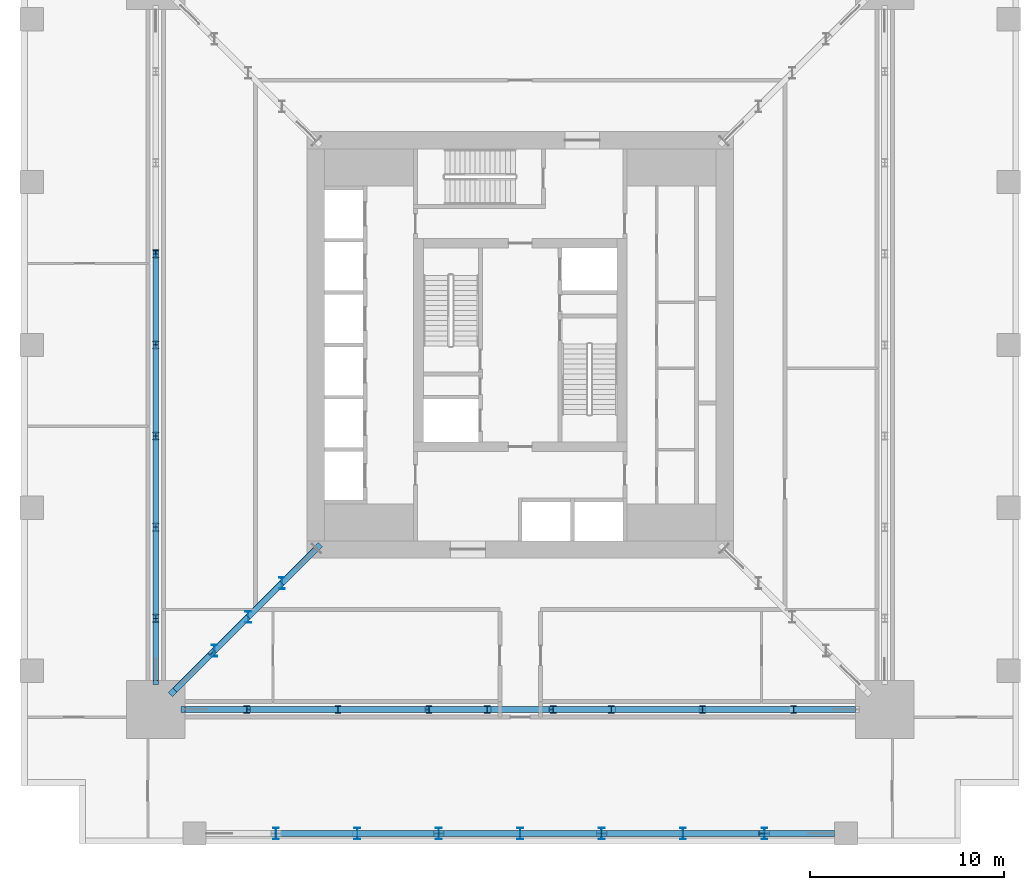
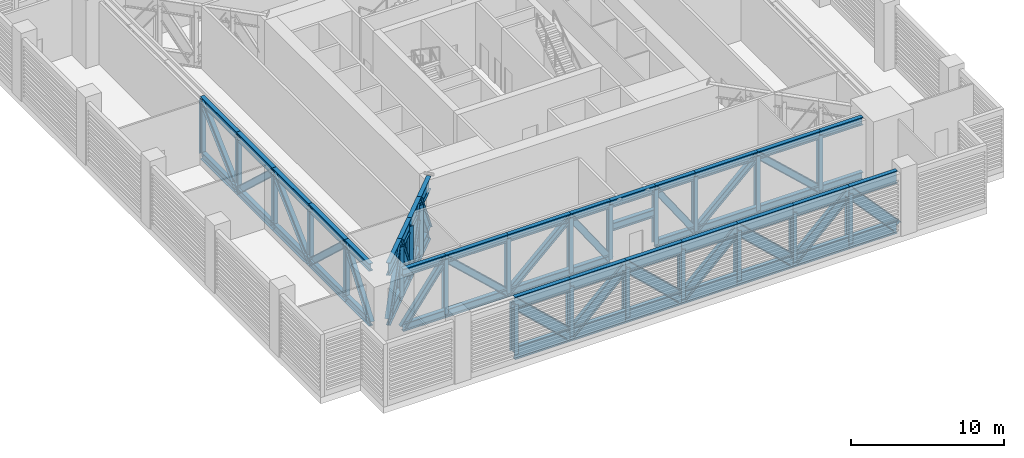
# One storey, part 2 of 17: 96 members.
"""IFC4 building model written with IfcOpenShell, lengths in metres."""

from ifc_helpers import new_model, si_unit, direction, frame, origin, origin_2d, place, context, subcontext, project, spatial, i_section, extrude, material, material_profile, profile_set, type_object, element, save


model = new_model("IFC4")

# Units and contexts
model_context = context("Model", 3, precision=1e-05, world=origin(), true_north=direction((0.0, 1.0)))
body_context = subcontext(model_context, "Body", "Model", "MODEL_VIEW")
ifc_project = project(units=[si_unit("LENGTHUNIT", "METRE"), si_unit("AREAUNIT", "SQUARE_METRE"), si_unit("VOLUMEUNIT", "CUBIC_METRE"), si_unit("PLANEANGLEUNIT", "RADIAN"), si_unit("MASSUNIT", "GRAM", prefix="KILO")], contexts=[model_context])

# Site, building, storey
site_placement = place(None, origin())
site = spatial("IfcSite", under=ifc_project, at=site_placement, CompositionType="ELEMENT")
building_placement = place(site_placement, origin())
building = spatial("IfcBuilding", under=site, at=building_placement, Name="Khepri Terraces", CompositionType="ELEMENT")
storey_placement = place(building_placement, frame((0.0, 0.0, 73.800048828125)))
storey = spatial("IfcBuildingStorey", under=building, at=storey_placement, Name="L17", CompositionType="ELEMENT", Elevation=73.800048828125)

# Members
ifc_material = material(Name="Steel S355", Category="steel")
ifc_material_profile_1 = material_profile(ifc_material, i_section(OverallWidth=0.304931640625, OverallDepth=0.6201171875, WebThickness=0.02099609375, FlangeThickness=0.0400390625, FilletRadius=0.027099609375, at=origin_2d()), Name="Steel S355", Category="steel")
ifc_profile_set_1 = profile_set([ifc_material_profile_1], Name="Steel S355")
member_type_1 = type_object("IfcMemberType", Name="Belt truss chord HEM 600", PredefinedType="CHORD", material=ifc_profile_set_1)
for number, where, z_axis, x_axis, name in (
    (1, (-17.300048828125, -18.800048828125, 0.31005859375), (1.0, 0.0, 0.0), (0.0, 1.0, 0.0), "Belt truss chord BT-17-S bottom 1"),
    (2, (-17.300048828125, -18.800048828125, 4.669921875), (1.0, 0.0, 0.0), (0.0, 1.0, 0.0), "Belt truss chord BT-17-S top 1"),
):
    element("IfcMember", number, at=place(storey_placement, frame(where, z_axis=z_axis, x_axis=x_axis)), inside=storey, type_object=member_type_1, Name=name, PredefinedType="CHORD", context=body_context, shape_type="SweptSolid", body=[
        extrude(i_section(OverallWidth=0.304931640625, OverallDepth=0.6201171875, WebThickness=0.02099609375, FlangeThickness=0.0400390625, FilletRadius=0.027099609375, at=origin_2d()), origin(), (0.0, 0.0, 1.0), 3.199951171875),
    ])
for number, where, z_axis, x_axis, name in (
    (3, (-14.10009765625, -18.800048828125, 0.31005859375), (1.0, 0.0, 0.0), (0.0, 1.0, 0.0), "Belt truss chord BT-17-S bottom 2"),
    (4, (-14.10009765625, -18.800048828125, 4.669921875), (1.0, 0.0, 0.0), (0.0, 1.0, 0.0), "Belt truss chord BT-17-S top 2"),
):
    element("IfcMember", number, at=place(storey_placement, frame(where, z_axis=z_axis, x_axis=x_axis)), inside=storey, type_object=member_type_1, Name=name, PredefinedType="CHORD", context=body_context, shape_type="SweptSolid", body=[
        extrude(i_section(OverallWidth=0.304931640625, OverallDepth=0.6201171875, WebThickness=0.02099609375, FlangeThickness=0.0400390625, FilletRadius=0.027099609375, at=origin_2d()), origin(), (0.0, 0.0, 1.0), 4.7001953125),
    ])
for number, where, z_axis, x_axis, name in (
    (5, (-9.39990234375, -18.800048828125, 0.31005859375), (1.0, 0.0, 0.0), (0.0, 1.0, 0.0), "Belt truss chord BT-17-S bottom 3"),
    (6, (-9.39990234375, -18.800048828125, 4.669921875), (1.0, 0.0, 0.0), (0.0, 1.0, 0.0), "Belt truss chord BT-17-S top 3"),
):
    element("IfcMember", number, at=place(storey_placement, frame(where, z_axis=z_axis, x_axis=x_axis)), inside=storey, type_object=member_type_1, Name=name, PredefinedType="CHORD", context=body_context, shape_type="SweptSolid", body=[
        extrude(i_section(OverallWidth=0.304931640625, OverallDepth=0.6201171875, WebThickness=0.02099609375, FlangeThickness=0.0400390625, FilletRadius=0.027099609375, at=origin_2d()), origin(), (0.0, 0.0, 1.0), 4.699951171875),
    ])
for number, where, z_axis, x_axis, name in (
    (7, (-4.699951171875, -18.800048828125, 0.31005859375), (1.0, 0.0, 0.0), (0.0, 1.0, 0.0), "Belt truss chord BT-17-S bottom 4"),
    (8, (-4.699951171875, -18.800048828125, 4.669921875), (1.0, 0.0, 0.0), (0.0, 1.0, 0.0), "Belt truss chord BT-17-S top 4"),
):
    element("IfcMember", number, at=place(storey_placement, frame(where, z_axis=z_axis, x_axis=x_axis)), inside=storey, type_object=member_type_1, Name=name, PredefinedType="CHORD", context=body_context, shape_type="SweptSolid", body=[
        extrude(i_section(OverallWidth=0.304931640625, OverallDepth=0.6201171875, WebThickness=0.02099609375, FlangeThickness=0.0400390625, FilletRadius=0.027099609375, at=origin_2d()), origin(), (0.0, 0.0, 1.0), 3.0),
    ])
for number, where, z_axis, x_axis, name in (
    (9, (-1.699951171875, -18.800048828125, 2.81005859375), (1.0, 0.0, 0.0), (0.0, 1.0, 0.0), "Belt truss chord BT-17-S bottom 5"),
    (10, (-1.699951171875, -18.800048828125, 4.669921875), (1.0, 0.0, 0.0), (0.0, 1.0, 0.0), "Belt truss chord BT-17-S top 5"),
):
    element("IfcMember", number, at=place(storey_placement, frame(where, z_axis=z_axis, x_axis=x_axis)), inside=storey, type_object=member_type_1, Name=name, PredefinedType="CHORD", context=body_context, shape_type="SweptSolid", body=[
        extrude(i_section(OverallWidth=0.304931640625, OverallDepth=0.6201171875, WebThickness=0.02099609375, FlangeThickness=0.0400390625, FilletRadius=0.027099609375, at=origin_2d()), origin(), (0.0, 0.0, 1.0), 3.39990234375),
    ])
for number, where, z_axis, x_axis, name in (
    (11, (1.699951171875, -18.800048828125, 0.31005859375), (1.0, 0.0, 0.0), (0.0, 1.0, 0.0), "Belt truss chord BT-17-S bottom 6"),
    (12, (1.699951171875, -18.800048828125, 4.669921875), (1.0, 0.0, 0.0), (0.0, 1.0, 0.0), "Belt truss chord BT-17-S top 6"),
):
    element("IfcMember", number, at=place(storey_placement, frame(where, z_axis=z_axis, x_axis=x_axis)), inside=storey, type_object=member_type_1, Name=name, PredefinedType="CHORD", context=body_context, shape_type="SweptSolid", body=[
        extrude(i_section(OverallWidth=0.304931640625, OverallDepth=0.6201171875, WebThickness=0.02099609375, FlangeThickness=0.0400390625, FilletRadius=0.027099609375, at=origin_2d()), origin(), (0.0, 0.0, 1.0), 3.0),
    ])
for number, where, z_axis, x_axis, name in (
    (13, (4.699951171875, -18.800048828125, 0.31005859375), (1.0, 0.0, 0.0), (0.0, 1.0, 0.0), "Belt truss chord BT-17-S bottom 7"),
    (14, (4.699951171875, -18.800048828125, 4.669921875), (1.0, 0.0, 0.0), (0.0, 1.0, 0.0), "Belt truss chord BT-17-S top 7"),
):
    element("IfcMember", number, at=place(storey_placement, frame(where, z_axis=z_axis, x_axis=x_axis)), inside=storey, type_object=member_type_1, Name=name, PredefinedType="CHORD", context=body_context, shape_type="SweptSolid", body=[
        extrude(i_section(OverallWidth=0.304931640625, OverallDepth=0.6201171875, WebThickness=0.02099609375, FlangeThickness=0.0400390625, FilletRadius=0.027099609375, at=origin_2d()), origin(), (0.0, 0.0, 1.0), 4.699951171875),
    ])
for number, where, z_axis, x_axis, name in (
    (15, (9.39990234375, -18.800048828125, 0.31005859375), (1.0, 0.0, 0.0), (0.0, 1.0, 0.0), "Belt truss chord BT-17-S bottom 8"),
    (16, (9.39990234375, -18.800048828125, 4.669921875), (1.0, 0.0, 0.0), (0.0, 1.0, 0.0), "Belt truss chord BT-17-S top 8"),
):
    element("IfcMember", number, at=place(storey_placement, frame(where, z_axis=z_axis, x_axis=x_axis)), inside=storey, type_object=member_type_1, Name=name, PredefinedType="CHORD", context=body_context, shape_type="SweptSolid", body=[
        extrude(i_section(OverallWidth=0.304931640625, OverallDepth=0.6201171875, WebThickness=0.02099609375, FlangeThickness=0.0400390625, FilletRadius=0.027099609375, at=origin_2d()), origin(), (0.0, 0.0, 1.0), 4.7001953125),
    ])
for number, where, z_axis, x_axis, name in (
    (17, (14.10009765625, -18.800048828125, 0.31005859375), (1.0, 0.0, 0.0), (0.0, 1.0, 0.0), "Belt truss chord BT-17-S bottom 9"),
    (18, (14.10009765625, -18.800048828125, 4.669921875), (1.0, 0.0, 0.0), (0.0, 1.0, 0.0), "Belt truss chord BT-17-S top 9"),
):
    element("IfcMember", number, at=place(storey_placement, frame(where, z_axis=z_axis, x_axis=x_axis)), inside=storey, type_object=member_type_1, Name=name, PredefinedType="CHORD", context=body_context, shape_type="SweptSolid", body=[
        extrude(i_section(OverallWidth=0.304931640625, OverallDepth=0.6201171875, WebThickness=0.02099609375, FlangeThickness=0.0400390625, FilletRadius=0.027099609375, at=origin_2d()), origin(), (0.0, 0.0, 1.0), 3.199951171875),
    ])
for number, where, z_axis, x_axis, name in (
    (19, (-18.800048828125, 4.699951171875, 0.31005859375), (0.0, -1.0, 0.0), (1.0, 0.0, 0.0), "Belt truss chord BT-17-W bottom 4"),
    (20, (-18.800048828125, 4.699951171875, 4.669921875), (0.0, -1.0, 0.0), (1.0, 0.0, 0.0), "Belt truss chord BT-17-W top 4"),
    (21, (-18.800048828125, 0.0, 0.31005859375), (0.0, -1.0, 0.0), (1.0, 0.0, 0.0), "Belt truss chord BT-17-W bottom 5"),
    (22, (-18.800048828125, 0.0, 4.669921875), (0.0, -1.0, 0.0), (1.0, 0.0, 0.0), "Belt truss chord BT-17-W top 5"),
    (23, (-18.800048828125, -4.699951171875, 0.31005859375), (0.0, -1.0, 0.0), (1.0, 0.0, 0.0), "Belt truss chord BT-17-W bottom 6"),
    (24, (-18.800048828125, -4.699951171875, 4.669921875), (0.0, -1.0, 0.0), (1.0, 0.0, 0.0), "Belt truss chord BT-17-W top 6"),
):
    element("IfcMember", number, at=place(storey_placement, frame(where, z_axis=z_axis, x_axis=x_axis)), inside=storey, type_object=member_type_1, Name=name, PredefinedType="CHORD", context=body_context, shape_type="SweptSolid", body=[
        extrude(i_section(OverallWidth=0.304931640625, OverallDepth=0.6201171875, WebThickness=0.02099609375, FlangeThickness=0.0400390625, FilletRadius=0.027099609375, at=origin_2d()), origin(), (0.0, 0.0, 1.0), 4.699951171875),
    ])
for number, where, z_axis, x_axis, name in (
    (25, (-18.800048828125, -9.39990234375, 0.31005859375), (0.0, -1.0, 0.0), (1.0, 0.0, 0.0), "Belt truss chord BT-17-W bottom 7"),
    (26, (-18.800048828125, -9.39990234375, 4.669921875), (0.0, -1.0, 0.0), (1.0, 0.0, 0.0), "Belt truss chord BT-17-W top 7"),
):
    element("IfcMember", number, at=place(storey_placement, frame(where, z_axis=z_axis, x_axis=x_axis)), inside=storey, type_object=member_type_1, Name=name, PredefinedType="CHORD", context=body_context, shape_type="SweptSolid", body=[
        extrude(i_section(OverallWidth=0.304931640625, OverallDepth=0.6201171875, WebThickness=0.02099609375, FlangeThickness=0.0400390625, FilletRadius=0.027099609375, at=origin_2d()), origin(), (0.0, 0.0, 1.0), 4.7001953125),
    ])
for number, where, z_axis, x_axis, name in (
    (27, (-18.800048828125, -14.10009765625, 0.31005859375), (0.0, -1.0, 0.0), (1.0, 0.0, 0.0), "Belt truss chord BT-17-W bottom 8"),
    (28, (-18.800048828125, -14.10009765625, 4.669921875), (0.0, -1.0, 0.0), (1.0, 0.0, 0.0), "Belt truss chord BT-17-W top 8"),
):
    element("IfcMember", number, at=place(storey_placement, frame(where, z_axis=z_axis, x_axis=x_axis)), inside=storey, type_object=member_type_1, Name=name, PredefinedType="CHORD", context=body_context, shape_type="SweptSolid", body=[
        extrude(i_section(OverallWidth=0.304931640625, OverallDepth=0.6201171875, WebThickness=0.02099609375, FlangeThickness=0.0400390625, FilletRadius=0.027099609375, at=origin_2d()), origin(), (0.0, 0.0, 1.0), 3.199951171875),
    ])
ifc_material_profile_2 = material_profile(ifc_material, i_section(OverallWidth=0.300048828125, OverallDepth=0.5, WebThickness=0.014404296875, FlangeThickness=0.028076171875, FilletRadius=0.027099609375, at=origin_2d()), Name="Steel S355", Category="steel")
ifc_profile_set_2 = profile_set([ifc_material_profile_2], Name="Steel S355")
member_type_2 = type_object("IfcMemberType", Name="Belt truss diagonal HEB 500", PredefinedType="BRACE", material=ifc_profile_set_2)
member_1_placement = place(storey_placement, frame((-17.300048828125, -18.800048828125, 0.31005859375), z_axis=(0.591690445791, 0.0, 0.806165253753), x_axis=(0.0, 1.0, 0.0)))
element("IfcMember", 29, at=member_1_placement, inside=storey, type_object=member_type_2, Name="Belt truss diagonal BT-17-S 1", PredefinedType="BRACE", context=body_context, shape_type="SweptSolid", body=[
    extrude(i_section(OverallWidth=0.300048828125, OverallDepth=0.5, WebThickness=0.014404296875, FlangeThickness=0.028076171875, FilletRadius=0.027099609375, at=origin_2d()), origin(), (0.0, 0.0, 1.0), 5.408203125),
])
for number, where, z_axis, x_axis, name in (
    (30, (-14.10009765625, -18.800048828125, 4.669921875), (0.733151463736, 0.0, -0.680065387461), (0.0, 1.0, 0.0), "Belt truss diagonal BT-17-S 2"),
    (31, (-9.39990234375, -18.800048828125, 0.31005859375), (0.733133850572, 0.0, 0.68008437502), (0.0, 1.0, 0.0), "Belt truss diagonal BT-17-S 3"),
):
    element("IfcMember", number, at=place(storey_placement, frame(where, z_axis=z_axis, x_axis=x_axis)), inside=storey, type_object=member_type_2, Name=name, PredefinedType="BRACE", context=body_context, shape_type="SweptSolid", body=[
        extrude(i_section(OverallWidth=0.300048828125, OverallDepth=0.5, WebThickness=0.014404296875, FlangeThickness=0.028076171875, FilletRadius=0.027099609375, at=origin_2d()), origin(), (0.0, 0.0, 1.0), 6.410888671875),
    ])
for number, where, z_axis, x_axis, name in (
    (32, (-4.699951171875, -18.800048828125, 4.669921875), (0.566861607389, 0.0, -0.823813035869), (0.0, 1.0, 0.0), "Belt truss diagonal BT-17-S 4"),
    (33, (1.699951171875, -18.800048828125, 4.669921875), (0.566861607389, 0.0, -0.823813035869), (0.0, 1.0, 0.0), "Belt truss diagonal BT-17-S 6"),
):
    element("IfcMember", number, at=place(storey_placement, frame(where, z_axis=z_axis, x_axis=x_axis)), inside=storey, type_object=member_type_2, Name=name, PredefinedType="BRACE", context=body_context, shape_type="SweptSolid", body=[
        extrude(i_section(OverallWidth=0.300048828125, OverallDepth=0.5, WebThickness=0.014404296875, FlangeThickness=0.028076171875, FilletRadius=0.027099609375, at=origin_2d()), origin(), (0.0, 0.0, 1.0), 5.292236328125),
    ])
for number, where, z_axis, x_axis, name in (
    (34, (4.699951171875, -18.800048828125, 0.31005859375), (0.733133850572, 0.0, 0.68008437502), (0.0, 1.0, 0.0), "Belt truss diagonal BT-17-S 7"),
    (35, (9.39990234375, -18.800048828125, 4.669921875), (0.733151463736, 0.0, -0.680065387461), (0.0, 1.0, 0.0), "Belt truss diagonal BT-17-S 8"),
    (36, (-18.800048828125, 4.699951171875, 4.669921875), (0.0, -0.733133850572, -0.68008437502), (1.0, 0.0, 0.0), "Belt truss diagonal BT-17-W 4"),
    (37, (-18.800048828125, 0.0, 0.31005859375), (0.0, -0.733133850572, 0.68008437502), (1.0, 0.0, 0.0), "Belt truss diagonal BT-17-W 5"),
    (38, (-18.800048828125, -4.699951171875, 4.669921875), (0.0, -0.733133850572, -0.68008437502), (1.0, 0.0, 0.0), "Belt truss diagonal BT-17-W 6"),
    (39, (-18.800048828125, -9.39990234375, 0.31005859375), (0.0, -0.733151463736, 0.680065387461), (1.0, 0.0, 0.0), "Belt truss diagonal BT-17-W 7"),
):
    element("IfcMember", number, at=place(storey_placement, frame(where, z_axis=z_axis, x_axis=x_axis)), inside=storey, type_object=member_type_2, Name=name, PredefinedType="BRACE", context=body_context, shape_type="SweptSolid", body=[
        extrude(i_section(OverallWidth=0.300048828125, OverallDepth=0.5, WebThickness=0.014404296875, FlangeThickness=0.028076171875, FilletRadius=0.027099609375, at=origin_2d()), origin(), (0.0, 0.0, 1.0), 6.410888671875),
    ])
member_2_placement = place(storey_placement, frame((-18.800048828125, -14.10009765625, 4.669921875), z_axis=(0.0, -0.591690445791, -0.806165253753), x_axis=(1.0, 0.0, 0.0)))
element("IfcMember", 40, at=member_2_placement, inside=storey, type_object=member_type_2, Name="Belt truss diagonal BT-17-W 8", PredefinedType="BRACE", context=body_context, shape_type="SweptSolid", body=[
    extrude(i_section(OverallWidth=0.300048828125, OverallDepth=0.5, WebThickness=0.014404296875, FlangeThickness=0.028076171875, FilletRadius=0.027099609375, at=origin_2d()), origin(), (0.0, 0.0, 1.0), 5.408203125),
])
ifc_material_profile_3 = material_profile(ifc_material, i_section(OverallWidth=0.300048828125, OverallDepth=0.39990234375, WebThickness=0.013427734375, FlangeThickness=0.02392578125, FilletRadius=0.027099609375, at=origin_2d()), Name="Steel S355", Category="steel")
ifc_profile_set_3 = profile_set([ifc_material_profile_3], Name="Steel S355")
member_type_3 = type_object("IfcMemberType", Name="Belt truss post HEB 400", PredefinedType="POST", material=ifc_profile_set_3)
for number, where, z_axis, x_axis, name in (
    (41, (-14.10009765625, -18.800048828125, 0.31005859375), (0.0, 0.0, 1.0), (1.0, 0.0, 0.0), "Belt truss post BT-17-S 1"),
    (42, (-9.39990234375, -18.800048828125, 0.31005859375), (0.0, 0.0, 1.0), (1.0, 0.0, 0.0), "Belt truss post BT-17-S 2"),
    (43, (-4.699951171875, -18.800048828125, 0.31005859375), (0.0, 0.0, 1.0), (1.0, 0.0, 0.0), "Belt truss post BT-17-S 3"),
    (44, (-1.699951171875, -18.800048828125, 0.31005859375), (0.0, 0.0, 1.0), (1.0, 0.0, 0.0), "Belt truss post BT-17-S 4"),
    (45, (1.699951171875, -18.800048828125, 0.31005859375), (0.0, 0.0, 1.0), (1.0, 0.0, 0.0), "Belt truss post BT-17-S 5"),
    (46, (4.699951171875, -18.800048828125, 0.31005859375), (0.0, 0.0, 1.0), (1.0, 0.0, 0.0), "Belt truss post BT-17-S 6"),
    (47, (9.39990234375, -18.800048828125, 0.31005859375), (0.0, 0.0, 1.0), (1.0, 0.0, 0.0), "Belt truss post BT-17-S 7"),
    (48, (14.10009765625, -18.800048828125, 0.31005859375), (0.0, 0.0, 1.0), (1.0, 0.0, 0.0), "Belt truss post BT-17-S 8"),
    (49, (-18.800048828125, 4.699951171875, 0.31005859375), (0.0, 0.0, 1.0), (1.0, 0.0, 0.0), "Belt truss post BT-17-W 3"),
    (50, (-18.800048828125, 0.0, 0.31005859375), (0.0, 0.0, 1.0), (1.0, 0.0, 0.0), "Belt truss post BT-17-W 4"),
    (51, (-18.800048828125, -4.699951171875, 0.31005859375), (0.0, 0.0, 1.0), (1.0, 0.0, 0.0), "Belt truss post BT-17-W 5"),
    (52, (-18.800048828125, -9.39990234375, 0.31005859375), (0.0, 0.0, 1.0), (1.0, 0.0, 0.0), "Belt truss post BT-17-W 6"),
    (53, (-18.800048828125, -14.10009765625, 0.31005859375), (0.0, 0.0, 1.0), (1.0, 0.0, 0.0), "Belt truss post BT-17-W 7"),
):
    element("IfcMember", number, at=place(storey_placement, frame(where, z_axis=z_axis, x_axis=x_axis)), inside=storey, type_object=member_type_3, Name=name, PredefinedType="POST", context=body_context, shape_type="SweptSolid", body=[
        extrude(i_section(OverallWidth=0.300048828125, OverallDepth=0.39990234375, WebThickness=0.013427734375, FlangeThickness=0.02392578125, FilletRadius=0.027099609375, at=origin_2d()), origin(), (0.0, 0.0, 1.0), 4.35986328125),
    ])
ifc_material_profile_4 = material_profile(ifc_material, i_section(OverallWidth=0.302001953125, OverallDepth=1.008056640625, WebThickness=0.02099609375, FlangeThickness=0.0400390625, FilletRadius=0.030029296875, at=origin_2d()), Name="Steel S355", Category="steel")
ifc_profile_set_4 = profile_set([ifc_material_profile_4], Name="Steel S355")
member_type_4 = type_object("IfcMemberType", Name="Outrigger chord HEM 1000", PredefinedType="CHORD", material=ifc_profile_set_4)
for number, where, z_axis, x_axis, name in (
    (54, (-10.550048828125, -10.550048828125, 0.50390625), (-0.707106781187, -0.707106781187, 0.0), (0.707106781187, -0.707106781187, 0.0), "Outrigger chord OT-17-WS bottom 1"),
    (55, (-10.550048828125, -10.550048828125, 4.475830078125), (-0.707106781187, -0.707106781187, 0.0), (0.707106781187, -0.707106781187, 0.0), "Outrigger chord OT-17-WS top 1"),
    (56, (-12.29052734375, -12.29052734375, 0.50390625), (-0.707106781187, -0.707106781187, 0.0), (0.707106781187, -0.707106781187, 0.0), "Outrigger chord OT-17-WS bottom 2"),
    (57, (-12.29052734375, -12.29052734375, 4.475830078125), (-0.707106781187, -0.707106781187, 0.0), (0.707106781187, -0.707106781187, 0.0), "Outrigger chord OT-17-WS top 2"),
    (58, (-14.031005859375, -14.031005859375, 0.50390625), (-0.707106781187, -0.707106781187, 0.0), (0.707106781187, -0.707106781187, 0.0), "Outrigger chord OT-17-WS bottom 3"),
    (59, (-14.031005859375, -14.031005859375, 4.475830078125), (-0.707106781187, -0.707106781187, 0.0), (0.707106781187, -0.707106781187, 0.0), "Outrigger chord OT-17-WS top 3"),
):
    element("IfcMember", number, at=place(storey_placement, frame(where, z_axis=z_axis, x_axis=x_axis)), inside=storey, type_object=member_type_4, Name=name, PredefinedType="CHORD", context=body_context, shape_type="SweptSolid", body=[
        extrude(i_section(OverallWidth=0.302001953125, OverallDepth=1.008056640625, WebThickness=0.02099609375, FlangeThickness=0.0400390625, FilletRadius=0.030029296875, at=origin_2d()), origin(), (0.0, 0.0, 1.0), 2.46142578125),
    ])
for number, where, z_axis, x_axis, name in (
    (60, (-15.771484375, -15.771484375, 0.50390625), (-0.707106781187, -0.707106781187, 0.0), (0.707106781187, -0.707106781187, 0.0), "Outrigger chord OT-17-WS bottom 4"),
    (61, (-15.771484375, -15.771484375, 4.475830078125), (-0.707106781187, -0.707106781187, 0.0), (0.707106781187, -0.707106781187, 0.0), "Outrigger chord OT-17-WS top 4"),
):
    element("IfcMember", number, at=place(storey_placement, frame(where, z_axis=z_axis, x_axis=x_axis)), inside=storey, type_object=member_type_4, Name=name, PredefinedType="CHORD", context=body_context, shape_type="SweptSolid", body=[
        extrude(i_section(OverallWidth=0.302001953125, OverallDepth=1.008056640625, WebThickness=0.02099609375, FlangeThickness=0.0400390625, FilletRadius=0.030029296875, at=origin_2d()), origin(), (0.0, 0.0, 1.0), 2.883056640625),
    ])
ifc_material_profile_5 = material_profile(ifc_material, i_section(OverallWidth=0.302978515625, OverallDepth=0.81396484375, WebThickness=0.02099609375, FlangeThickness=0.0400390625, FilletRadius=0.030029296875, at=origin_2d()), Name="Steel S355", Category="steel")
ifc_profile_set_5 = profile_set([ifc_material_profile_5], Name="Steel S355")
member_type_5 = type_object("IfcMemberType", Name="Outrigger diagonal HEM 800", PredefinedType="BRACE", material=ifc_profile_set_5)
for number, where, z_axis, x_axis, name in (
    (62, (-10.550048828125, -10.550048828125, 0.50390625), (-0.372473135114, -0.372473135114, 0.850016192338), (0.707106781187, -0.707106781187, 0.0), "Outrigger diagonal OT-17-WS 1"),
    (63, (-12.29052734375, -12.29052734375, 4.475830078125), (-0.372473135114, -0.372473135114, -0.850016192338), (0.707106781187, -0.707106781187, 0.0), "Outrigger diagonal OT-17-WS 2"),
    (64, (-14.031005859375, -14.031005859375, 0.50390625), (-0.372473135114, -0.372473135114, 0.850016192338), (0.707106781187, -0.707106781187, 0.0), "Outrigger diagonal OT-17-WS 3"),
):
    element("IfcMember", number, at=place(storey_placement, frame(where, z_axis=z_axis, x_axis=x_axis)), inside=storey, type_object=member_type_5, Name=name, PredefinedType="BRACE", context=body_context, shape_type="SweptSolid", body=[
        extrude(i_section(OverallWidth=0.302978515625, OverallDepth=0.81396484375, WebThickness=0.02099609375, FlangeThickness=0.0400390625, FilletRadius=0.030029296875, at=origin_2d()), origin(), (0.0, 0.0, 1.0), 4.6728515625),
    ])
member_3_placement = place(storey_placement, frame((-15.771484375, -15.771484375, 4.475830078125), z_axis=(-0.415363588353, -0.415363588353, -0.809287451367), x_axis=(0.707106781187, -0.707106781187, 0.0)))
element("IfcMember", 65, at=member_3_placement, inside=storey, type_object=member_type_5, Name="Outrigger diagonal OT-17-WS 4", PredefinedType="BRACE", context=body_context, shape_type="SweptSolid", body=[
    extrude(i_section(OverallWidth=0.302978515625, OverallDepth=0.81396484375, WebThickness=0.02099609375, FlangeThickness=0.0400390625, FilletRadius=0.030029296875, at=origin_2d()), origin(), (0.0, 0.0, 1.0), 4.907958984375),
])
ifc_material_profile_6 = material_profile(ifc_material, i_section(OverallWidth=0.300048828125, OverallDepth=0.60009765625, WebThickness=0.015380859375, FlangeThickness=0.030029296875, FilletRadius=0.027099609375, at=origin_2d()), Name="Steel S355", Category="steel")
ifc_profile_set_6 = profile_set([ifc_material_profile_6], Name="Steel S355")
member_type_6 = type_object("IfcMemberType", Name="Outrigger post HEB 600", PredefinedType="POST", material=ifc_profile_set_6)
for number, where, z_axis, x_axis, name in (
    (66, (-12.29052734375, -12.29052734375, 0.50390625), (0.0, 0.0, 1.0), (1.0, 0.0, 0.0), "Outrigger post OT-17-WS 1"),
    (67, (-14.031005859375, -14.031005859375, 0.50390625), (0.0, 0.0, 1.0), (1.0, 0.0, 0.0), "Outrigger post OT-17-WS 2"),
    (68, (-15.771484375, -15.771484375, 0.50390625), (0.0, 0.0, 1.0), (1.0, 0.0, 0.0), "Outrigger post OT-17-WS 3"),
):
    element("IfcMember", number, at=place(storey_placement, frame(where, z_axis=z_axis, x_axis=x_axis)), inside=storey, type_object=member_type_6, Name=name, PredefinedType="POST", context=body_context, shape_type="SweptSolid", body=[
        extrude(i_section(OverallWidth=0.300048828125, OverallDepth=0.60009765625, WebThickness=0.015380859375, FlangeThickness=0.030029296875, FilletRadius=0.027099609375, at=origin_2d()), origin(), (0.0, 0.0, 1.0), 3.971923828125),
    ])
ifc_material_profile_7 = material_profile(ifc_material, i_section(OverallWidth=0.302001953125, OverallDepth=1.008056640625, WebThickness=0.02099609375, FlangeThickness=0.0400390625, FilletRadius=0.030029296875, at=origin_2d()), Name="Steel S355", Category="steel")
ifc_profile_set_7 = profile_set([ifc_material_profile_7], Name="Steel S355")
member_type_7 = type_object("IfcMemberType", Name="Transfer truss chord HEM 1000", PredefinedType="CHORD", material=ifc_profile_set_7)
for number, where, z_axis, x_axis, name in (
    (69, (-12.60009765625, -25.199951171875, 0.50390625), (1.0, 0.0, 0.0), (0.0, 1.0, 0.0), "Transfer truss chord TT-17-S bottom 2"),
    (70, (-12.60009765625, -25.199951171875, 4.475830078125), (1.0, 0.0, 0.0), (0.0, 1.0, 0.0), "Transfer truss chord TT-17-S top 2"),
):
    element("IfcMember", number, at=place(storey_placement, frame(where, z_axis=z_axis, x_axis=x_axis)), inside=storey, type_object=member_type_7, Name=name, PredefinedType="CHORD", context=body_context, shape_type="SweptSolid", body=[
        extrude(i_section(OverallWidth=0.302001953125, OverallDepth=1.008056640625, WebThickness=0.02099609375, FlangeThickness=0.0400390625, FilletRadius=0.030029296875, at=origin_2d()), origin(), (0.0, 0.0, 1.0), 4.2001953125),
    ])
for number, where, z_axis, x_axis, name in (
    (71, (-8.39990234375, -25.199951171875, 0.50390625), (1.0, 0.0, 0.0), (0.0, 1.0, 0.0), "Transfer truss chord TT-17-S bottom 3"),
    (72, (-8.39990234375, -25.199951171875, 4.475830078125), (1.0, 0.0, 0.0), (0.0, 1.0, 0.0), "Transfer truss chord TT-17-S top 3"),
    (73, (-4.199951171875, -25.199951171875, 0.50390625), (1.0, 0.0, 0.0), (0.0, 1.0, 0.0), "Transfer truss chord TT-17-S bottom 4"),
    (74, (-4.199951171875, -25.199951171875, 4.475830078125), (1.0, 0.0, 0.0), (0.0, 1.0, 0.0), "Transfer truss chord TT-17-S top 4"),
    (75, (0.0, -25.199951171875, 0.50390625), (1.0, 0.0, 0.0), (0.0, 1.0, 0.0), "Transfer truss chord TT-17-S bottom 5"),
    (76, (0.0, -25.199951171875, 4.475830078125), (1.0, 0.0, 0.0), (0.0, 1.0, 0.0), "Transfer truss chord TT-17-S top 5"),
    (77, (4.199951171875, -25.199951171875, 0.50390625), (1.0, 0.0, 0.0), (0.0, 1.0, 0.0), "Transfer truss chord TT-17-S bottom 6"),
    (78, (4.199951171875, -25.199951171875, 4.475830078125), (1.0, 0.0, 0.0), (0.0, 1.0, 0.0), "Transfer truss chord TT-17-S top 6"),
):
    element("IfcMember", number, at=place(storey_placement, frame(where, z_axis=z_axis, x_axis=x_axis)), inside=storey, type_object=member_type_7, Name=name, PredefinedType="CHORD", context=body_context, shape_type="SweptSolid", body=[
        extrude(i_section(OverallWidth=0.302001953125, OverallDepth=1.008056640625, WebThickness=0.02099609375, FlangeThickness=0.0400390625, FilletRadius=0.030029296875, at=origin_2d()), origin(), (0.0, 0.0, 1.0), 4.199951171875),
    ])
for number, where, z_axis, x_axis, name in (
    (79, (8.39990234375, -25.199951171875, 0.50390625), (1.0, 0.0, 0.0), (0.0, 1.0, 0.0), "Transfer truss chord TT-17-S bottom 7"),
    (80, (8.39990234375, -25.199951171875, 4.475830078125), (1.0, 0.0, 0.0), (0.0, 1.0, 0.0), "Transfer truss chord TT-17-S top 7"),
):
    element("IfcMember", number, at=place(storey_placement, frame(where, z_axis=z_axis, x_axis=x_axis)), inside=storey, type_object=member_type_7, Name=name, PredefinedType="CHORD", context=body_context, shape_type="SweptSolid", body=[
        extrude(i_section(OverallWidth=0.302001953125, OverallDepth=1.008056640625, WebThickness=0.02099609375, FlangeThickness=0.0400390625, FilletRadius=0.030029296875, at=origin_2d()), origin(), (0.0, 0.0, 1.0), 4.2001953125),
    ])
for number, where, z_axis, x_axis, name in (
    (81, (12.60009765625, -25.199951171875, 0.50390625), (1.0, 0.0, 0.0), (0.0, 1.0, 0.0), "Transfer truss chord TT-17-S bottom 8"),
    (82, (12.60009765625, -25.199951171875, 4.475830078125), (1.0, 0.0, 0.0), (0.0, 1.0, 0.0), "Transfer truss chord TT-17-S top 8"),
):
    element("IfcMember", number, at=place(storey_placement, frame(where, z_axis=z_axis, x_axis=x_axis)), inside=storey, type_object=member_type_7, Name=name, PredefinedType="CHORD", context=body_context, shape_type="SweptSolid", body=[
        extrude(i_section(OverallWidth=0.302001953125, OverallDepth=1.008056640625, WebThickness=0.02099609375, FlangeThickness=0.0400390625, FilletRadius=0.030029296875, at=origin_2d()), origin(), (0.0, 0.0, 1.0), 3.599853515625),
    ])
ifc_material_profile_8 = material_profile(ifc_material, i_section(OverallWidth=0.300048828125, OverallDepth=0.800048828125, WebThickness=0.017578125, FlangeThickness=0.032958984375, FilletRadius=0.030029296875, at=origin_2d()), Name="Steel S355", Category="steel")
ifc_profile_set_8 = profile_set([ifc_material_profile_8], Name="Steel S355")
member_type_8 = type_object("IfcMemberType", Name="Transfer truss diagonal HEB 800", PredefinedType="BRACE", material=ifc_profile_set_8)
member_4_placement = place(storey_placement, frame((-12.60009765625, -25.199951171875, 4.475830078125), z_axis=(0.726574967353, 0.0, -0.687087197389), x_axis=(0.0, 1.0, 0.0)))
element("IfcMember", 83, at=member_4_placement, inside=storey, type_object=member_type_8, Name="Transfer truss diagonal TT-17-S 2", PredefinedType="BRACE", context=body_context, shape_type="SweptSolid", body=[
    extrude(i_section(OverallWidth=0.300048828125, OverallDepth=0.800048828125, WebThickness=0.017578125, FlangeThickness=0.032958984375, FilletRadius=0.030029296875, at=origin_2d()), origin(), (0.0, 0.0, 1.0), 5.78076171875),
])
for number, where, z_axis, x_axis, name in (
    (84, (-8.39990234375, -25.199951171875, 0.50390625), (0.726555028752, 0.0, 0.687108281274), (0.0, 1.0, 0.0), "Transfer truss diagonal TT-17-S 3"),
    (85, (-4.199951171875, -25.199951171875, 4.475830078125), (0.726555028752, 0.0, -0.687108281274), (0.0, 1.0, 0.0), "Transfer truss diagonal TT-17-S 4"),
    (86, (0.0, -25.199951171875, 0.50390625), (0.726555028752, 0.0, 0.687108281274), (0.0, 1.0, 0.0), "Transfer truss diagonal TT-17-S 5"),
    (87, (4.199951171875, -25.199951171875, 4.475830078125), (0.726555028752, 0.0, -0.687108281274), (0.0, 1.0, 0.0), "Transfer truss diagonal TT-17-S 6"),
):
    element("IfcMember", number, at=place(storey_placement, frame(where, z_axis=z_axis, x_axis=x_axis)), inside=storey, type_object=member_type_8, Name=name, PredefinedType="BRACE", context=body_context, shape_type="SweptSolid", body=[
        extrude(i_section(OverallWidth=0.300048828125, OverallDepth=0.800048828125, WebThickness=0.017578125, FlangeThickness=0.032958984375, FilletRadius=0.030029296875, at=origin_2d()), origin(), (0.0, 0.0, 1.0), 5.780517578125),
    ])
member_5_placement = place(storey_placement, frame((8.39990234375, -25.199951171875, 0.50390625), z_axis=(0.726574967353, 0.0, 0.687087197389), x_axis=(0.0, 1.0, 0.0)))
element("IfcMember", 88, at=member_5_placement, inside=storey, type_object=member_type_8, Name="Transfer truss diagonal TT-17-S 7", PredefinedType="BRACE", context=body_context, shape_type="SweptSolid", body=[
    extrude(i_section(OverallWidth=0.300048828125, OverallDepth=0.800048828125, WebThickness=0.017578125, FlangeThickness=0.032958984375, FilletRadius=0.030029296875, at=origin_2d()), origin(), (0.0, 0.0, 1.0), 5.78076171875),
])
member_6_placement = place(storey_placement, frame((12.60009765625, -25.199951171875, 4.475830078125), z_axis=(0.671549900964, 0.0, -0.740959331216), x_axis=(0.0, 1.0, 0.0)))
element("IfcMember", 89, at=member_6_placement, inside=storey, type_object=member_type_8, Name="Transfer truss diagonal TT-17-S 8", PredefinedType="BRACE", context=body_context, shape_type="SweptSolid", body=[
    extrude(i_section(OverallWidth=0.300048828125, OverallDepth=0.800048828125, WebThickness=0.017578125, FlangeThickness=0.032958984375, FilletRadius=0.030029296875, at=origin_2d()), origin(), (0.0, 0.0, 1.0), 5.360595703125),
])
ifc_material_profile_9 = material_profile(ifc_material, i_section(OverallWidth=0.300048828125, OverallDepth=0.60009765625, WebThickness=0.015380859375, FlangeThickness=0.030029296875, FilletRadius=0.027099609375, at=origin_2d()), Name="Steel S355", Category="steel")
ifc_profile_set_9 = profile_set([ifc_material_profile_9], Name="Steel S355")
member_type_9 = type_object("IfcMemberType", Name="Transfer truss post HEB 600", PredefinedType="POST", material=ifc_profile_set_9)
for number, where, z_axis, x_axis, name in (
    (90, (-12.60009765625, -25.199951171875, 0.50390625), (0.0, 0.0, 1.0), (1.0, 0.0, 0.0), "Transfer truss post TT-17-S 1"),
    (91, (-8.39990234375, -25.199951171875, 0.50390625), (0.0, 0.0, 1.0), (1.0, 0.0, 0.0), "Transfer truss post TT-17-S 2"),
    (92, (-4.199951171875, -25.199951171875, 0.50390625), (0.0, 0.0, 1.0), (1.0, 0.0, 0.0), "Transfer truss post TT-17-S 3"),
    (93, (0.0, -25.199951171875, 0.50390625), (0.0, 0.0, 1.0), (1.0, 0.0, 0.0), "Transfer truss post TT-17-S 4"),
    (94, (4.199951171875, -25.199951171875, 0.50390625), (0.0, 0.0, 1.0), (1.0, 0.0, 0.0), "Transfer truss post TT-17-S 5"),
    (95, (8.39990234375, -25.199951171875, 0.50390625), (0.0, 0.0, 1.0), (1.0, 0.0, 0.0), "Transfer truss post TT-17-S 6"),
    (96, (12.60009765625, -25.199951171875, 0.50390625), (0.0, 0.0, 1.0), (1.0, 0.0, 0.0), "Transfer truss post TT-17-S 7"),
):
    element("IfcMember", number, at=place(storey_placement, frame(where, z_axis=z_axis, x_axis=x_axis)), inside=storey, type_object=member_type_9, Name=name, PredefinedType="POST", context=body_context, shape_type="SweptSolid", body=[
        extrude(i_section(OverallWidth=0.300048828125, OverallDepth=0.60009765625, WebThickness=0.015380859375, FlangeThickness=0.030029296875, FilletRadius=0.027099609375, at=origin_2d()), origin(), (0.0, 0.0, 1.0), 3.971923828125),
    ])

save(model, "model.ifc")
